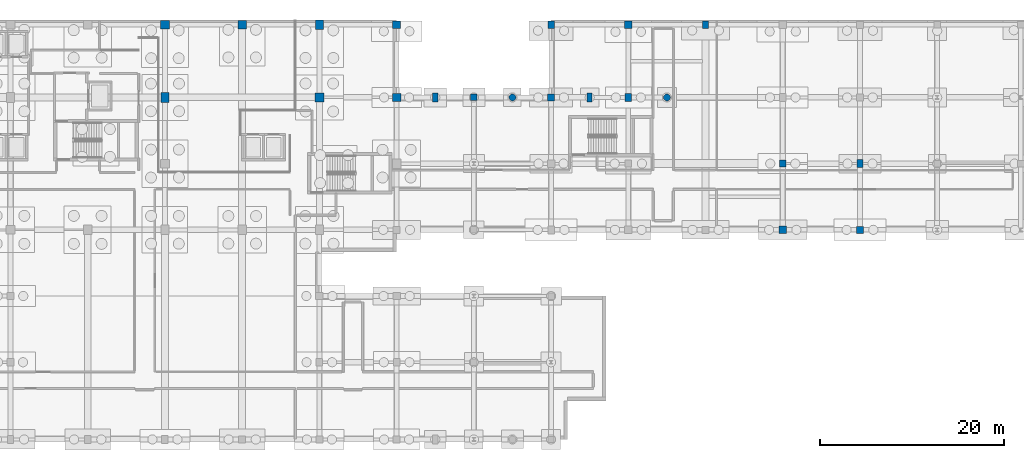
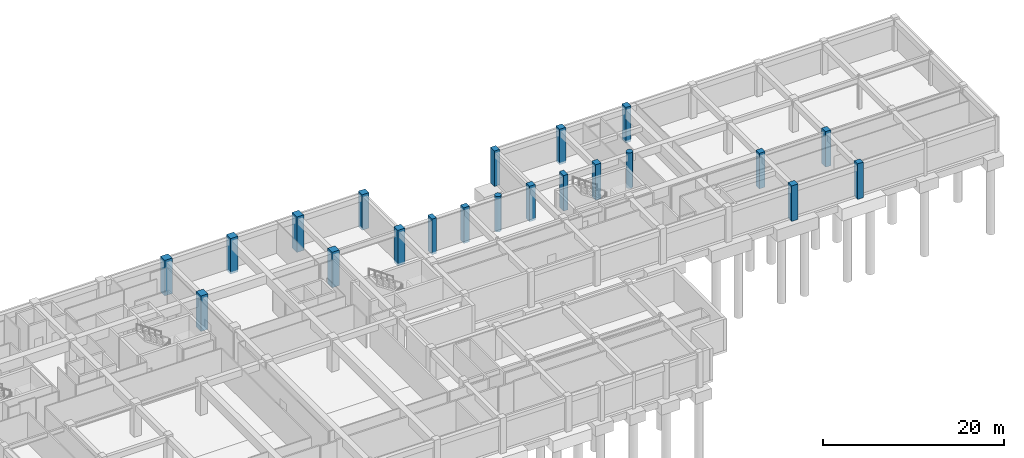
# One storey, part 17 of 42: 21 columns.
"""IFC4 building model written with IfcOpenShell, lengths in metres."""

from ifc_helpers import new_model, si_unit, direction, frame, origin, origin_2d, place, context, subcontext, project, spatial, rectangle, circle, extrude, material, material_profile, profile_set, type_object, element, save


model = new_model("IFC4")

# Units and contexts
model_context = context("Model", 3, precision=1e-05, world=origin(), true_north=direction((0.0, 1.0)))
body_context = subcontext(model_context, "Body", "Model", "MODEL_VIEW")
ifc_project = project(units=[si_unit("LENGTHUNIT", "METRE"), si_unit("AREAUNIT", "SQUARE_METRE"), si_unit("VOLUMEUNIT", "CUBIC_METRE"), si_unit("PLANEANGLEUNIT", "RADIAN"), si_unit("MASSUNIT", "GRAM", prefix="KILO")], contexts=[model_context])

# Site, building, storey
site_placement = place(None, origin())
site = spatial("IfcSite", under=ifc_project, at=site_placement, CompositionType="ELEMENT")
building_placement = place(site_placement, origin())
building = spatial("IfcBuilding", under=site, at=building_placement, Name="Quendrovan Civic Courthouse", CompositionType="ELEMENT")
storey_placement = place(building_placement, frame((0.0, 0.0, -4.5)))
storey = spatial("IfcBuildingStorey", under=building, at=storey_placement, Name="B1", CompositionType="ELEMENT", Elevation=-4.5)

# Columns
ifc_material_1 = material(Name="Precast concrete C45/55", Category="concrete")
ifc_material_profile_1 = material_profile(ifc_material_1, circle(Radius=0.375, at=origin_2d()), Name="RC-ARCADE-D750")
ifc_profile_set_1 = profile_set([ifc_material_profile_1], Name="Precast concrete C45/55")
column_type_1 = type_object("IfcColumnType", Name="COL-ARC750", PredefinedType="PILASTER", material=ifc_profile_set_1)
for number, where, z_axis, x_axis, name in (
    (1, (105.0, 102.0, -0.300048828125), (0.0, 0.0, 1.0), (1.0, 0.0, 0.0), "B1 Column PIL-N4"),
    (2, (121.800048828125, 102.0, -0.300048828125), (0.0, 0.0, 1.0), (1.0, 0.0, 0.0), "B1 Column PIL-N6"),
):
    element("IfcColumn", number, at=place(storey_placement, frame(where, z_axis=z_axis, x_axis=x_axis)), inside=storey, type_object=column_type_1, Name=name, PredefinedType="PILASTER", context=body_context, shape_type="SweptSolid", body=[
        extrude(circle(Radius=0.375, at=origin_2d()), origin(), (0.0, 0.0, 1.0), 4.800048828125),
    ])
ifc_material_2 = material(Name="Concrete C45/55", Category="concrete")
ifc_material_profile_2 = material_profile(ifc_material_2, rectangle(XDim=0.550048828125, YDim=0.949951171875, at=origin_2d()), Name="RC-PIER-550x950")
ifc_profile_set_2 = profile_set([ifc_material_profile_2], Name="Concrete C45/55")
column_type_2 = type_object("IfcColumnType", Name="COL-PIER950", PredefinedType="PILASTER", material=ifc_profile_set_2)
for number, where, z_axis, x_axis, name in (
    (3, (96.60009765625, 102.0, -0.300048828125), (0.0, 0.0, 1.0), (1.0, 0.0, 0.0), "B1 Column PIL-N3"),
    (4, (113.39990234375, 102.0, -0.300048828125), (0.0, 0.0, 1.0), (1.0, 0.0, 0.0), "B1 Column PIL-N5"),
):
    element("IfcColumn", number, at=place(storey_placement, frame(where, z_axis=z_axis, x_axis=x_axis)), inside=storey, type_object=column_type_2, Name=name, PredefinedType="PILASTER", context=body_context, shape_type="SweptSolid", body=[
        extrude(rectangle(XDim=0.550048828125, YDim=0.949951171875, at=origin_2d()), origin(), (0.0, 0.0, 1.0), 4.800048828125),
    ])
ifc_material_3 = material(Name="Concrete C40/50", Category="concrete")
ifc_material_profile_3 = material_profile(ifc_material_3, rectangle(XDim=0.699951171875, YDim=0.85009765625, at=origin_2d()), Name="RC-COL-700x850")
ifc_profile_set_3 = profile_set([ifc_material_profile_3], Name="Concrete C40/50")
column_type_3 = type_object("IfcColumnType", Name="COL-RC-700x850", PredefinedType="COLUMN", material=ifc_profile_set_3)
for number, where, z_axis, x_axis, name in (
    (5, (109.199951171875, 109.89990234375, -0.300048828125), (0.0, 0.0, 1.0), (1.0, 0.0, 0.0), "B1 Column 14-Q"),
    (6, (117.60009765625, 102.0, -0.300048828125), (0.0, 0.0, 1.0), (1.0, 0.0, 0.0), "B1 Column 15-P"),
    (7, (126.0, 109.89990234375, -0.300048828125), (0.0, 0.0, 1.0), (1.0, 0.0, 0.0), "B1 Column 16-Q"),
    (8, (142.800048828125, 94.800048828125, -0.300048828125), (0.0, 0.0, 1.0), (1.0, 0.0, 0.0), "B1 Column 18-N"),
):
    element("IfcColumn", number, at=place(storey_placement, frame(where, z_axis=z_axis, x_axis=x_axis)), inside=storey, type_object=column_type_3, Name=name, PredefinedType="COLUMN", context=body_context, shape_type="SweptSolid", body=[
        extrude(rectangle(XDim=0.699951171875, YDim=0.85009765625, at=origin_2d()), origin(), (0.0, 0.0, 1.0), 4.800048828125),
    ])
ifc_material_profile_4 = material_profile(ifc_material_2, rectangle(XDim=0.89990234375, YDim=1.050048828125, at=origin_2d()), Name="RC-COL-900x1050")
ifc_profile_set_4 = profile_set([ifc_material_profile_4], Name="Concrete C45/55")
column_type_4 = type_object("IfcColumnType", Name="COL-RC-900x1050", PredefinedType="COLUMN", material=ifc_profile_set_4)
for number, where, z_axis, x_axis, name in (
    (9, (67.199951171875, 102.0, -0.300048828125), (0.0, 0.0, 1.0), (1.0, 0.0, 0.0), "B1 Column 9-P"),
    (10, (84.0, 109.89990234375, -0.300048828125), (0.0, 0.0, 1.0), (1.0, 0.0, 0.0), "B1 Column 11-Q"),
):
    element("IfcColumn", number, at=place(storey_placement, frame(where, z_axis=z_axis, x_axis=x_axis)), inside=storey, type_object=column_type_4, Name=name, PredefinedType="COLUMN", context=body_context, shape_type="SweptSolid", body=[
        extrude(rectangle(XDim=0.89990234375, YDim=1.050048828125, at=origin_2d()), origin(), (0.0, 0.0, 1.0), 4.800048828125),
    ])
ifc_material_profile_5 = material_profile(ifc_material_2, rectangle(XDim=0.699951171875, YDim=0.699951171875, at=origin_2d()), Name="RC-COL-700x700")
ifc_profile_set_5 = profile_set([ifc_material_profile_5], Name="Concrete C45/55")
column_type_5 = type_object("IfcColumnType", Name="COL-RC700", PredefinedType="COLUMN", material=ifc_profile_set_5)
column_1_placement = place(storey_placement, frame((100.800048828125, 102.0, -0.300048828125), z_axis=(0.0, 0.0, 1.0), x_axis=(1.0, 0.0, 0.0)))
element("IfcColumn", 11, at=column_1_placement, inside=storey, type_object=column_type_5, Name="B1 Column 13-P", PredefinedType="COLUMN", context=body_context, shape_type="SweptSolid", body=[
    extrude(rectangle(XDim=0.699951171875, YDim=0.699951171875, at=origin_2d()), origin(), (0.0, 0.0, 1.0), 4.800048828125),
])
ifc_material_profile_6 = material_profile(ifc_material_2, rectangle(XDim=0.75, YDim=0.75, at=origin_2d()), Name="RC-COL-750x750")
ifc_profile_set_6 = profile_set([ifc_material_profile_6], Name="Concrete C45/55")
column_type_6 = type_object("IfcColumnType", Name="COL-RC750", PredefinedType="COLUMN", material=ifc_profile_set_6)
for number, where, z_axis, x_axis, name in (
    (12, (109.199951171875, 102.0, -0.300048828125), (0.0, 0.0, 1.0), (1.0, 0.0, 0.0), "B1 Column 14-P"),
    (13, (134.39990234375, 94.800048828125, -0.300048828125), (0.0, 0.0, 1.0), (1.0, 0.0, 0.0), "B1 Column 17-N"),
    (14, (142.800048828125, 87.60009765625, -0.300048828125), (0.0, 0.0, 1.0), (1.0, 0.0, 0.0), "B1 Column 18-M"),
):
    element("IfcColumn", number, at=place(storey_placement, frame(where, z_axis=z_axis, x_axis=x_axis)), inside=storey, type_object=column_type_6, Name=name, PredefinedType="COLUMN", context=body_context, shape_type="SweptSolid", body=[
        extrude(rectangle(XDim=0.75, YDim=0.75, at=origin_2d()), origin(), (0.0, 0.0, 1.0), 4.800048828125),
    ])
ifc_material_profile_7 = material_profile(ifc_material_2, rectangle(XDim=0.800048828125, YDim=0.800048828125, at=origin_2d()), Name="RC-COL-800x800")
ifc_profile_set_7 = profile_set([ifc_material_profile_7], Name="Concrete C45/55")
column_type_7 = type_object("IfcColumnType", Name="COL-RC800", PredefinedType="COLUMN", material=ifc_profile_set_7)
for number, where, z_axis, x_axis, name in (
    (15, (117.60009765625, 109.89990234375, -0.300048828125), (0.0, 0.0, 1.0), (1.0, 0.0, 0.0), "B1 Column 15-Q"),
    (16, (134.39990234375, 87.60009765625, -0.300048828125), (0.0, 0.0, 1.0), (1.0, 0.0, 0.0), "B1 Column 17-M"),
):
    element("IfcColumn", number, at=place(storey_placement, frame(where, z_axis=z_axis, x_axis=x_axis)), inside=storey, type_object=column_type_7, Name=name, PredefinedType="COLUMN", context=body_context, shape_type="SweptSolid", body=[
        extrude(rectangle(XDim=0.800048828125, YDim=0.800048828125, at=origin_2d()), origin(), (0.0, 0.0, 1.0), 4.800048828125),
    ])
ifc_material_profile_8 = material_profile(ifc_material_2, rectangle(XDim=0.85009765625, YDim=0.85009765625, at=origin_2d()), Name="RC-COL-850x850")
ifc_profile_set_8 = profile_set([ifc_material_profile_8], Name="Concrete C45/55")
column_type_8 = type_object("IfcColumnType", Name="COL-RC850", PredefinedType="COLUMN", material=ifc_profile_set_8)
column_2_placement = place(storey_placement, frame((92.39990234375, 109.89990234375, -0.300048828125), z_axis=(0.0, 0.0, 1.0), x_axis=(1.0, 0.0, 0.0)))
element("IfcColumn", 17, at=column_2_placement, inside=storey, type_object=column_type_8, Name="B1 Column 12-Q", PredefinedType="COLUMN", context=body_context, shape_type="SweptSolid", body=[
    extrude(rectangle(XDim=0.85009765625, YDim=0.85009765625, at=origin_2d()), origin(), (0.0, 0.0, 1.0), 4.800048828125),
])
ifc_material_profile_9 = material_profile(ifc_material_2, rectangle(XDim=0.89990234375, YDim=0.89990234375, at=origin_2d()), Name="RC-COL-900x900")
ifc_profile_set_9 = profile_set([ifc_material_profile_9], Name="Concrete C45/55")
column_type_9 = type_object("IfcColumnType", Name="COL-RC900", PredefinedType="COLUMN", material=ifc_profile_set_9)
column_3_placement = place(storey_placement, frame((92.39990234375, 102.0, -0.300048828125), z_axis=(0.0, 0.0, 1.0), x_axis=(1.0, 0.0, 0.0)))
element("IfcColumn", 18, at=column_3_placement, inside=storey, type_object=column_type_9, Name="B1 Column 12-P", PredefinedType="COLUMN", context=body_context, shape_type="SweptSolid", body=[
    extrude(rectangle(XDim=0.89990234375, YDim=0.89990234375, at=origin_2d()), origin(), (0.0, 0.0, 1.0), 4.800048828125),
])
ifc_material_profile_10 = material_profile(ifc_material_2, rectangle(XDim=0.949951171875, YDim=0.949951171875, at=origin_2d()), Name="RC-COL-950x950")
ifc_profile_set_10 = profile_set([ifc_material_profile_10], Name="Concrete C45/55")
column_type_10 = type_object("IfcColumnType", Name="COL-RC950", PredefinedType="COLUMN", material=ifc_profile_set_10)
for number, where, z_axis, x_axis, name in (
    (19, (67.199951171875, 109.89990234375, -0.300048828125), (0.0, 0.0, 1.0), (1.0, 0.0, 0.0), "B1 Column 9-Q"),
    (20, (75.60009765625, 109.89990234375, -0.300048828125), (0.0, 0.0, 1.0), (1.0, 0.0, 0.0), "B1 Column 10-Q"),
    (21, (84.0, 102.0, -0.300048828125), (0.0, 0.0, 1.0), (1.0, 0.0, 0.0), "B1 Column 11-P"),
):
    element("IfcColumn", number, at=place(storey_placement, frame(where, z_axis=z_axis, x_axis=x_axis)), inside=storey, type_object=column_type_10, Name=name, PredefinedType="COLUMN", context=body_context, shape_type="SweptSolid", body=[
        extrude(rectangle(XDim=0.949951171875, YDim=0.949951171875, at=origin_2d()), origin(), (0.0, 0.0, 1.0), 4.800048828125),
    ])

save(model, "model.ifc")
